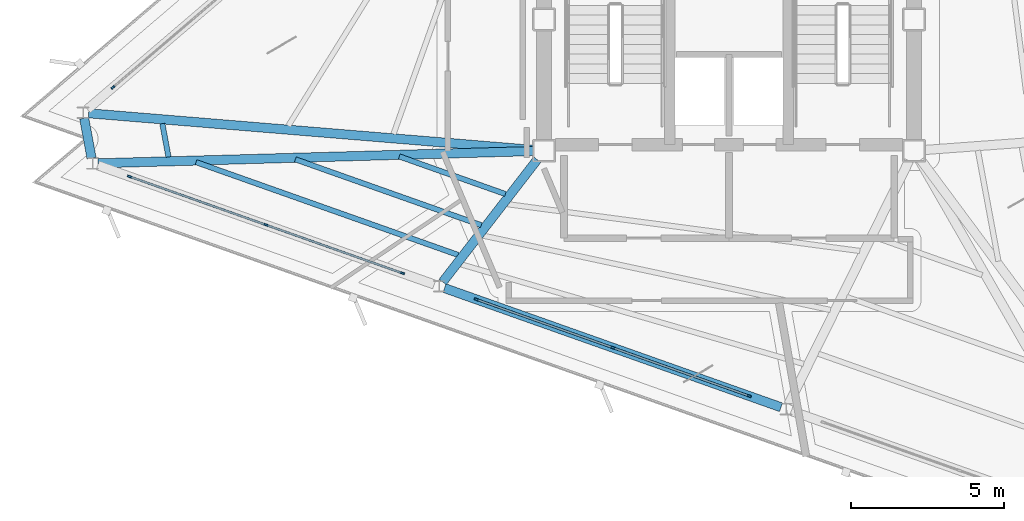
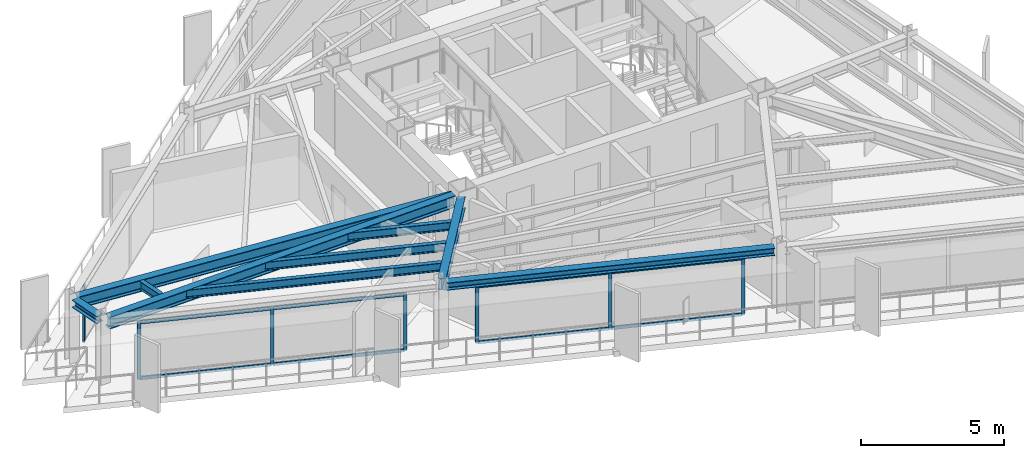
# One storey, part 2 of 14: 15 members, 9 beams, 3 elements without a shape of their own.
"""IFC4 building model written with IfcOpenShell, lengths in metres."""

from ifc_helpers import new_model, si_unit, direction, frame, origin, origin_2d, place, context, subcontext, project, spatial, rectangle, i_section, extrude, material, layer, layer_set, material_profile, profile_set, type_object, element, aggregate, save


model = new_model("IFC4")

# Units and contexts
model_context = context("Model", 3, precision=1e-05, world=origin(), true_north=direction((0.0, 1.0)))
body_context = subcontext(model_context, "Body", "Model", "MODEL_VIEW")
ifc_project = project(units=[si_unit("LENGTHUNIT", "METRE"), si_unit("AREAUNIT", "SQUARE_METRE"), si_unit("VOLUMEUNIT", "CUBIC_METRE"), si_unit("PLANEANGLEUNIT", "RADIAN"), si_unit("MASSUNIT", "GRAM", prefix="KILO")], contexts=[model_context])

# Site, building, storey
site_placement = place(None, origin())
site = spatial("IfcSite", under=ifc_project, at=site_placement, CompositionType="ELEMENT")
building_placement = place(site_placement, origin())
building = spatial("IfcBuilding", under=site, at=building_placement, Name="Rocaltana Carrier Exchange", CompositionType="ELEMENT")
storey_placement = place(building_placement, frame((0.0, 0.0, 187.52001953125)))
storey = spatial("IfcBuildingStorey", under=building, at=storey_placement, Name="L59", CompositionType="ELEMENT", Elevation=187.52001953125)

# Curtain wall, member
ifc_material_1 = material(Name="Aluminium 6063-T6", Category="aluminium")
ifc_layer = layer(ifc_material_1, 0.135009765625)
ifc_layer_set = layer_set([ifc_layer], Name="Aluminium 6063-T6")
curtain_wall_type = type_object("IfcCurtainWallType", Name="Upper-Mid Acoustic Curtain Wall CW-04", PredefinedType="NOTDEFINED", material=ifc_layer_set)
curtain_wall_1_placement = place(storey_placement, origin())
curtain_wall_1 = element("IfcCurtainWall", 1, at=curtain_wall_1_placement, inside=storey, type_object=curtain_wall_type, Name="L59 CW-04 Run CW-L59-F2S3", PredefinedType="NOTDEFINED")
ifc_material_2 = material(Name="Aluminium 6063-T6", Category="aluminium")
ifc_material_profile_1 = material_profile(ifc_material_2, rectangle(XDim=0.06494140625, YDim=0.135009765625, at=origin_2d()), Name="AL-65X135")
ifc_profile_set_1 = profile_set([ifc_material_profile_1], Name="Aluminium 6063-T6")
member_type_1 = type_object("IfcMemberType", Name="CW-04 Mullion AL-65X135", PredefinedType="MULLION", material=ifc_profile_set_1)
member_1_placement = place(storey_placement, frame((-20.14990234375, -2.2255859375, 0.0), z_axis=(0.0, 0.0, 1.0), x_axis=(0.649447944918, -0.760406053922, 0.0)))
member_1 = element("IfcMember", 2, at=member_1_placement, type_object=member_type_1, Name="CW-04 mullion 3", PredefinedType="MULLION", context=body_context, shape_type="SweptSolid", body=[
    extrude(rectangle(XDim=0.06494140625, YDim=0.135009765625, at=origin_2d()), origin(), (0.0, 0.0, 1.0), 2.447998046875),
])
aggregate(curtain_wall_1, [member_1])

# Curtain wall, members
curtain_wall_2_placement = place(storey_placement, origin())
curtain_wall_2 = element("IfcCurtainWall", 3, at=curtain_wall_2_placement, inside=storey, type_object=curtain_wall_type, Name="L59 CW-04 Run CW-L59-F3S1", PredefinedType="NOTDEFINED")
member_2_placement = place(storey_placement, frame((-19.609130859375, -5.143310546875, 0.0), z_axis=(0.0, 0.0, 1.0), x_axis=(0.333795491383, 0.942645516582, 0.0)))
member_2 = element("IfcMember", 4, at=member_2_placement, type_object=member_type_1, Name="CW-04 mullion 1", PredefinedType="MULLION", context=body_context, shape_type="SweptSolid", body=[
    extrude(rectangle(XDim=0.06494140625, YDim=0.135009765625, at=origin_2d()), origin(), (0.0, 0.0, 1.0), 2.447998046875),
])
member_3_placement = place(storey_placement, frame((-15.146484375, -6.7236328125, 0.0), z_axis=(0.0, 0.0, 1.0), x_axis=(0.333795491383, 0.942645516582, 0.0)))
member_3 = element("IfcMember", 5, at=member_3_placement, type_object=member_type_1, Name="CW-04 mullion 2", PredefinedType="MULLION", context=body_context, shape_type="SweptSolid", body=[
    extrude(rectangle(XDim=0.06494140625, YDim=0.135009765625, at=origin_2d()), origin(), (0.0, 0.0, 1.0), 2.447998046875),
])
member_4_placement = place(storey_placement, frame((-10.683837890625, -8.303955078125, 0.0), z_axis=(0.0, 0.0, 1.0), x_axis=(0.333795491383, 0.942645516582, 0.0)))
member_4 = element("IfcMember", 6, at=member_4_placement, type_object=member_type_1, Name="CW-04 mullion 3", PredefinedType="MULLION", context=body_context, shape_type="SweptSolid", body=[
    extrude(rectangle(XDim=0.06494140625, YDim=0.135009765625, at=origin_2d()), origin(), (0.0, 0.0, 1.0), 2.447998046875),
])

curtain_wall_3_placement = place(storey_placement, origin())
curtain_wall_3 = element("IfcCurtainWall", 7, at=curtain_wall_3_placement, inside=storey, type_object=curtain_wall_type, Name="L59 CW-04 Run CW-L59-F3S2", PredefinedType="NOTDEFINED")
member_5_placement = place(storey_placement, frame((-8.265869140625, -9.16015625, 0.0), z_axis=(0.0, 0.0, 1.0), x_axis=(0.333798791936, 0.942644347833, 0.0)))
member_5 = element("IfcMember", 8, at=member_5_placement, type_object=member_type_1, Name="CW-04 mullion 1", PredefinedType="MULLION", context=body_context, shape_type="SweptSolid", body=[
    extrude(rectangle(XDim=0.06494140625, YDim=0.135009765625, at=origin_2d()), origin(), (0.0, 0.0, 1.0), 2.447998046875),
])
member_6_placement = place(storey_placement, frame((-3.803466796875, -10.740478515625, 0.0), z_axis=(0.0, 0.0, 1.0), x_axis=(0.333798791936, 0.942644347833, 0.0)))
member_6 = element("IfcMember", 9, at=member_6_placement, type_object=member_type_1, Name="CW-04 mullion 2", PredefinedType="MULLION", context=body_context, shape_type="SweptSolid", body=[
    extrude(rectangle(XDim=0.06494140625, YDim=0.135009765625, at=origin_2d()), origin(), (0.0, 0.0, 1.0), 2.447998046875),
])
member_7_placement = place(storey_placement, frame((0.6591796875, -12.320556640625, 0.0), z_axis=(0.0, 0.0, 1.0), x_axis=(0.333798791936, 0.942644347833, 0.0)))
member_7 = element("IfcMember", 10, at=member_7_placement, type_object=member_type_1, Name="CW-04 mullion 3", PredefinedType="MULLION", context=body_context, shape_type="SweptSolid", body=[
    extrude(rectangle(XDim=0.06494140625, YDim=0.135009765625, at=origin_2d()), origin(), (0.0, 0.0, 1.0), 2.447998046875),
])

# Member
ifc_material_3 = material(Name="Aluminium 6063-T6", Category="aluminium")
ifc_material_profile_2 = material_profile(ifc_material_3, rectangle(XDim=0.06494140625, YDim=0.135009765625, at=origin_2d()), Name="AL-65X135")
ifc_profile_set_2 = profile_set([ifc_material_profile_2], Name="Aluminium 6063-T6")
member_type_2 = type_object("IfcMemberType", Name="CW-04 Transom AL-65X135", PredefinedType="USERDEFINED", material=ifc_profile_set_2)
member_8_placement = place(storey_placement, frame((-19.57861328125, -5.154296875, 0.032470703125), z_axis=(0.942658759466, -0.333758090841, 0.0), x_axis=(0.333758090841, 0.942658759466, 0.0)))
member_8 = element("IfcMember", 11, at=member_8_placement, type_object=member_type_2, Name="CW-04 transom 1.1", ObjectType="TRANSOM", PredefinedType="USERDEFINED", context=body_context, shape_type="SweptSolid", body=[
    extrude(rectangle(XDim=0.06494140625, YDim=0.135009765625, at=origin_2d()), origin(), (0.0, 0.0, 1.0), 4.669189453125),
])

member_9_placement = place(storey_placement, frame((-19.57861328125, -5.154296875, 2.41552734375), z_axis=(0.942658759466, -0.333758090841, 0.0), x_axis=(0.333758090841, 0.942658759466, 0.0)))
member_9 = element("IfcMember", 12, at=member_9_placement, type_object=member_type_2, Name="CW-04 transom 1.2", ObjectType="TRANSOM", PredefinedType="USERDEFINED", context=body_context, shape_type="SweptSolid", body=[
    extrude(rectangle(XDim=0.06494140625, YDim=0.135009765625, at=origin_2d()), origin(), (0.0, 0.0, 1.0), 4.669189453125),
])

member_10_placement = place(storey_placement, frame((-15.115966796875, -6.734375, 0.032470703125), z_axis=(0.942648133321, -0.333788101565, 0.0), x_axis=(0.333788101565, 0.942648133321, 0.0)))
member_10 = element("IfcMember", 13, at=member_10_placement, type_object=member_type_2, Name="CW-04 transom 2.1", ObjectType="TRANSOM", PredefinedType="USERDEFINED", context=body_context, shape_type="SweptSolid", body=[
    extrude(rectangle(XDim=0.06494140625, YDim=0.135009765625, at=origin_2d()), origin(), (0.0, 0.0, 1.0), 4.66943359375),
])

member_11_placement = place(storey_placement, frame((-15.115966796875, -6.734375, 2.41552734375), z_axis=(0.942648133321, -0.333788101565, 0.0), x_axis=(0.333788101565, 0.942648133321, 0.0)))
member_11 = element("IfcMember", 14, at=member_11_placement, type_object=member_type_2, Name="CW-04 transom 2.2", ObjectType="TRANSOM", PredefinedType="USERDEFINED", context=body_context, shape_type="SweptSolid", body=[
    extrude(rectangle(XDim=0.06494140625, YDim=0.135009765625, at=origin_2d()), origin(), (0.0, 0.0, 1.0), 4.66943359375),
])

aggregate(curtain_wall_2, [member_2, member_3, member_4, member_8, member_9, member_10, member_11])

member_12_placement = place(storey_placement, frame((-8.2353515625, -9.1708984375, 0.032470703125), z_axis=(0.942642307572, -0.333804553558, 0.0), x_axis=(0.333804553558, 0.942642307572, 0.0)))
member_12 = element("IfcMember", 15, at=member_12_placement, type_object=member_type_2, Name="CW-04 transom 1.1", ObjectType="TRANSOM", PredefinedType="USERDEFINED", context=body_context, shape_type="SweptSolid", body=[
    extrude(rectangle(XDim=0.06494140625, YDim=0.135009765625, at=origin_2d()), origin(), (0.0, 0.0, 1.0), 4.669189453125),
])

member_13_placement = place(storey_placement, frame((-8.2353515625, -9.1708984375, 2.41552734375), z_axis=(0.942642307572, -0.333804553558, 0.0), x_axis=(0.333804553558, 0.942642307572, 0.0)))
member_13 = element("IfcMember", 16, at=member_13_placement, type_object=member_type_2, Name="CW-04 transom 1.2", ObjectType="TRANSOM", PredefinedType="USERDEFINED", context=body_context, shape_type="SweptSolid", body=[
    extrude(rectangle(XDim=0.06494140625, YDim=0.135009765625, at=origin_2d()), origin(), (0.0, 0.0, 1.0), 4.669189453125),
])

member_14_placement = place(storey_placement, frame((-3.772705078125, -10.751220703125, 0.032470703125), z_axis=(0.942642307572, -0.333804553558, 0.0), x_axis=(0.333804553558, 0.942642307572, 0.0)))
member_14 = element("IfcMember", 17, at=member_14_placement, type_object=member_type_2, Name="CW-04 transom 2.1", ObjectType="TRANSOM", PredefinedType="USERDEFINED", context=body_context, shape_type="SweptSolid", body=[
    extrude(rectangle(XDim=0.06494140625, YDim=0.135009765625, at=origin_2d()), origin(), (0.0, 0.0, 1.0), 4.669189453125),
])

member_15_placement = place(storey_placement, frame((-3.772705078125, -10.751220703125, 2.41552734375), z_axis=(0.942642307572, -0.333804553558, 0.0), x_axis=(0.333804553558, 0.942642307572, 0.0)))
member_15 = element("IfcMember", 18, at=member_15_placement, type_object=member_type_2, Name="CW-04 transom 2.2", ObjectType="TRANSOM", PredefinedType="USERDEFINED", context=body_context, shape_type="SweptSolid", body=[
    extrude(rectangle(XDim=0.06494140625, YDim=0.135009765625, at=origin_2d()), origin(), (0.0, 0.0, 1.0), 4.669189453125),
])

aggregate(curtain_wall_3, [member_5, member_6, member_7, member_12, member_13, member_14, member_15])

# Beams
ifc_material_4 = material(Name="Steel S355", Category="steel")
ifc_material_profile_3 = material_profile(ifc_material_4, i_section(OverallWidth=0.172119140625, OverallDepth=0.35791015625, WebThickness=0.0078125, FlangeThickness=0.01318359375, FilletRadius=0.011962890625, at=origin_2d()), Name="W14X38")
ifc_profile_set_3 = profile_set([ifc_material_profile_3], Name="Steel S355")
beam_type_1 = type_object("IfcBeamType", Name="Floor Joist W14X38", PredefinedType="JOIST", material=ifc_profile_set_3)
beam_1_placement = place(storey_placement, frame((-18.5361328125, -3.4111328125, 2.618896484375), z_axis=(0.182270341783, -0.983248454108, 0.0), x_axis=(0.983248454108, 0.182270341783, 0.0)))
element("IfcBeam", 19, at=beam_1_placement, inside=storey, type_object=beam_type_1, Name="FJ-L59-08-3", PredefinedType="JOIST", context=body_context, shape_type="SweptSolid", body=[
    extrude(i_section(OverallWidth=0.172119140625, OverallDepth=0.35791015625, WebThickness=0.0078125, FlangeThickness=0.01318359375, FilletRadius=0.011962890625, at=origin_2d()), origin(), (0.0, 0.0, 1.0), 1.1103515625),
])
beam_2_placement = place(storey_placement, frame((-10.78759765625, -4.485107421875, 2.618896484375), z_axis=(0.94263244024, -0.333832416951, 0.0), x_axis=(0.333832416951, 0.94263244024, 0.0)))
element("IfcBeam", 20, at=beam_2_placement, inside=storey, type_object=beam_type_1, Name="FJ-L59-09-1", PredefinedType="JOIST", context=body_context, shape_type="SweptSolid", body=[
    extrude(i_section(OverallWidth=0.172119140625, OverallDepth=0.35791015625, WebThickness=0.0078125, FlangeThickness=0.01318359375, FilletRadius=0.011962890625, at=origin_2d()), origin(), (0.0, 0.0, 1.0), 3.682861328125),
])
beam_3_placement = place(storey_placement, frame((-14.184326171875, -4.58056640625, 2.618896484375), z_axis=(0.942637646352, -0.333817716246, 0.0), x_axis=(0.333817716246, 0.942637646352, 0.0)))
element("IfcBeam", 21, at=beam_3_placement, inside=storey, type_object=beam_type_1, Name="FJ-L59-09-2", PredefinedType="JOIST", context=body_context, shape_type="SweptSolid", body=[
    extrude(i_section(OverallWidth=0.172119140625, OverallDepth=0.35791015625, WebThickness=0.0078125, FlangeThickness=0.01318359375, FilletRadius=0.011962890625, at=origin_2d()), origin(), (0.0, 0.0, 1.0), 6.45068359375),
])
beam_4_placement = place(storey_placement, frame((-17.433349609375, -4.671875, 2.618896484375), z_axis=(0.942637076776, -0.333819324616, 0.0), x_axis=(0.333819324616, 0.942637076776, 0.0)))
element("IfcBeam", 22, at=beam_4_placement, inside=storey, type_object=beam_type_1, Name="FJ-L59-09-3", PredefinedType="JOIST", context=body_context, shape_type="SweptSolid", body=[
    extrude(i_section(OverallWidth=0.172119140625, OverallDepth=0.35791015625, WebThickness=0.0078125, FlangeThickness=0.01318359375, FilletRadius=0.011962890625, at=origin_2d()), origin(), (0.0, 0.0, 1.0), 9.09814453125),
])
ifc_material_5 = material(Name="Steel S355", Category="steel")
ifc_material_profile_4 = material_profile(ifc_material_5, i_section(OverallWidth=0.300048828125, OverallDepth=0.320068359375, WebThickness=0.011474609375, FlangeThickness=0.0205078125, FilletRadius=0.027099609375, at=origin_2d()), Name="HEB320")
ifc_profile_set_4 = profile_set([ifc_material_profile_4], Name="Steel S355")
beam_type_2 = type_object("IfcBeamType", Name="Spandrel Edge Beam HEB320", PredefinedType="SPANDREL", material=ifc_profile_set_4)
beam_5_placement = place(storey_placement, frame((-21.09228515625, -3.235107421875, 2.637939453125), z_axis=(0.182109041175, -0.983278341632, 0.0), x_axis=(0.983278341632, 0.182109041175, 0.0)))
element("IfcBeam", 23, at=beam_5_placement, inside=storey, type_object=beam_type_2, Name="SP-L59-08", PredefinedType="SPANDREL", context=body_context, shape_type="SweptSolid", body=[
    extrude(i_section(OverallWidth=0.300048828125, OverallDepth=0.320068359375, WebThickness=0.011474609375, FlangeThickness=0.0205078125, FilletRadius=0.027099609375, at=origin_2d()), origin(), (0.0, 0.0, 1.0), 1.325927734375),
])
beam_6_placement = place(storey_placement, frame((-9.3056640625, -8.7919921875, 2.637939453125), z_axis=(0.94264079789, -0.33380881677, 0.0), x_axis=(0.33380881677, 0.94264079789, 0.0)))
element("IfcBeam", 24, at=beam_6_placement, inside=storey, type_object=beam_type_2, Name="SP-L59-10", PredefinedType="SPANDREL", context=body_context, shape_type="SweptSolid", body=[
    extrude(i_section(OverallWidth=0.300048828125, OverallDepth=0.320068359375, WebThickness=0.011474609375, FlangeThickness=0.0205078125, FilletRadius=0.027099609375, at=origin_2d()), origin(), (0.0, 0.0, 1.0), 11.67431640625),
])
ifc_material_6 = material(Name="Steel S355", Category="steel")
ifc_material_profile_5 = material_profile(ifc_material_6, i_section(OverallWidth=0.300048828125, OverallDepth=0.5, WebThickness=0.014404296875, FlangeThickness=0.028076171875, FilletRadius=0.027099609375, at=origin_2d()), Name="HEB500")
ifc_profile_set_5 = profile_set([ifc_material_profile_5], Name="Steel S355")
beam_type_3 = type_object("IfcBeamType", Name="Upper Radial Girder HEB500", PredefinedType="BEAM", material=ifc_profile_set_5)
beam_7_placement = place(storey_placement, frame((-6.415771484375, -4.27001953125, 2.548095703125), z_axis=(-0.996625326102, 0.082085073988, 0.0), x_axis=(-0.082085073988, -0.996625326102, 0.0)))
element("IfcBeam", 25, at=beam_7_placement, inside=storey, type_object=beam_type_3, Name="RG-L59-08", PredefinedType="BEAM", context=body_context, shape_type="SweptSolid", body=[
    extrude(i_section(OverallWidth=0.300048828125, OverallDepth=0.5, WebThickness=0.014404296875, FlangeThickness=0.028076171875, FilletRadius=0.027099609375, at=origin_2d()), origin(), (0.0, 0.0, 1.0), 14.579833984375),
])
beam_8_placement = place(storey_placement, frame((-6.4169921875, -4.310302734375, 2.548095703125), z_axis=(-0.999604889413, -0.028108096011, 0.0), x_axis=(0.028108096011, -0.999604889413, 0.0)))
element("IfcBeam", 26, at=beam_8_placement, inside=storey, type_object=beam_type_3, Name="RG-L59-09", PredefinedType="BEAM", context=body_context, shape_type="SweptSolid", body=[
    extrude(i_section(OverallWidth=0.300048828125, OverallDepth=0.5, WebThickness=0.014404296875, FlangeThickness=0.028076171875, FilletRadius=0.027099609375, at=origin_2d()), origin(), (0.0, 0.0, 1.0), 14.227294921875),
])
beam_9_placement = place(storey_placement, frame((-6.2744140625, -4.59033203125, 2.548095703125), z_axis=(-0.611429630547, -0.791298810115, 0.0), x_axis=(0.791298810115, -0.611429630547, 0.0)))
element("IfcBeam", 27, at=beam_9_placement, inside=storey, type_object=beam_type_3, Name="RG-L59-10", PredefinedType="BEAM", context=body_context, shape_type="SweptSolid", body=[
    extrude(i_section(OverallWidth=0.300048828125, OverallDepth=0.5, WebThickness=0.014404296875, FlangeThickness=0.028076171875, FilletRadius=0.027099609375, at=origin_2d()), origin(), (0.0, 0.0, 1.0), 5.0546875),
])

save(model, "model.ifc")
